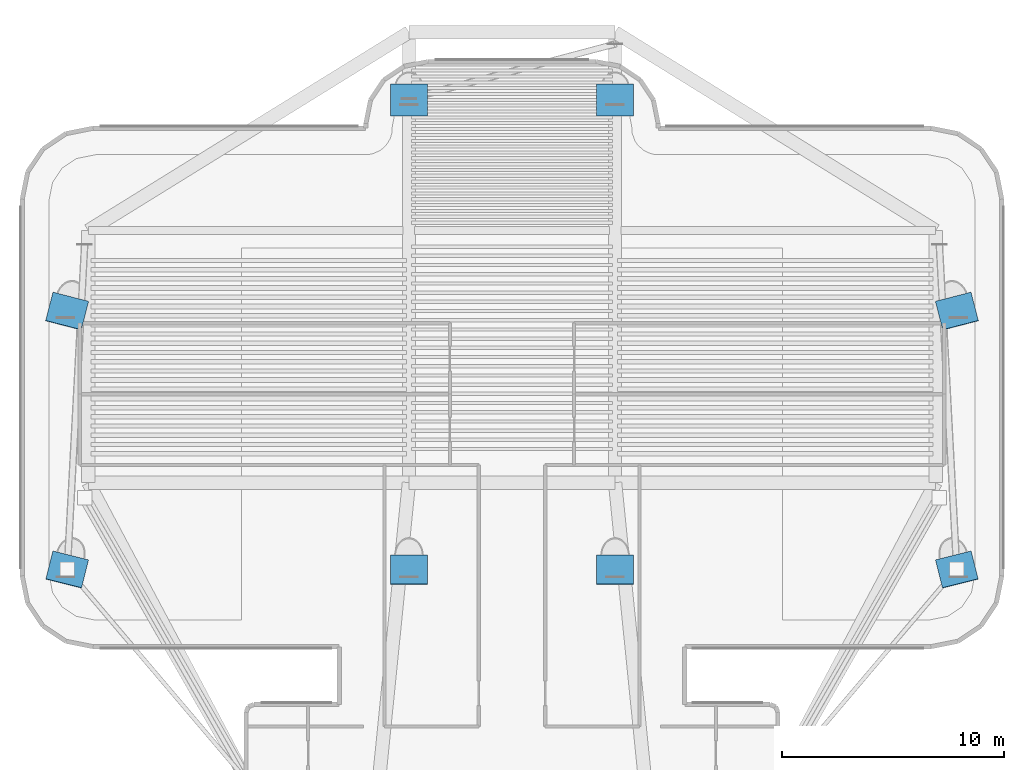
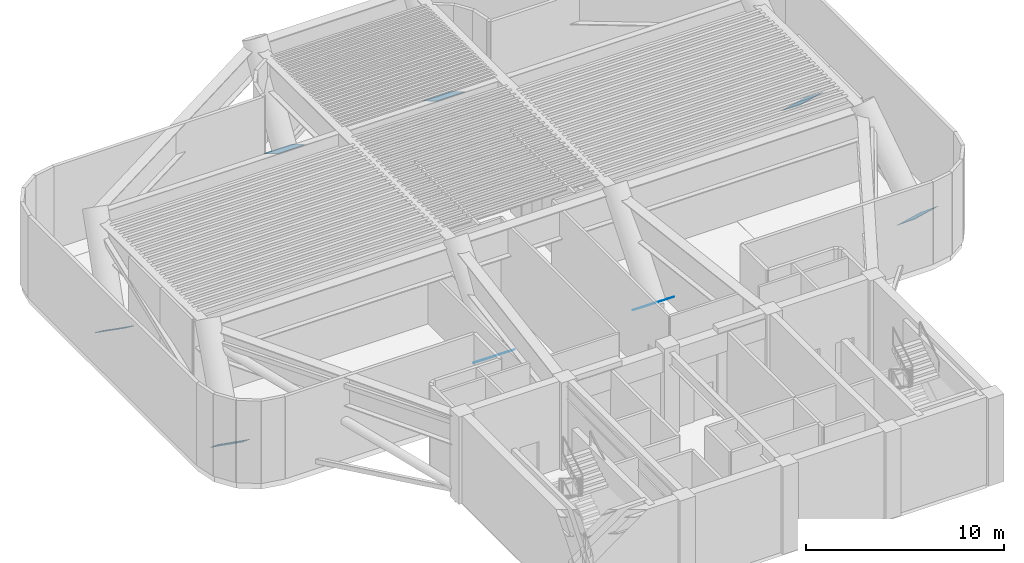
# One storey, part 7 of 10: 8 discrete accessories.
"""IFC4 building model written with IfcOpenShell, lengths in metres."""

import ifcopenshell
import ifcopenshell.guid

model = None  # the IFC model being written
_history = None  # IfcOwnerHistory: only IFC2X3 demands one
_inside = {}  # id of a spatial element -> (the spatial element, [elements in it])
_under = {}  # id of a project, library or spatial element -> (it, [spatial elements below it])
_declared = {}  # id of a project -> (the project, [libraries it declares])
_typed = {}  # id of a type object -> (the type object, [elements of that type])
_made_of = {}  # id of a material, layer set ... -> (it, [elements and type objects made of it])


def new_model(schema):
    """Start an empty IFC model of exactly this schema.

    Asked for "IFC4X3", IfcOpenShell would pick the latest addendum, in which some entities
    have other attributes; the version numbers below select the first issue.
    IFC2X3 requires an IfcOwnerHistory on every rooted entity: one is made here for all.
    """
    global model, _history
    if schema == "IFC4X3":
        model = ifcopenshell.file(schema_version=(4, 3, 0, 0))
    else:
        model = ifcopenshell.file(schema=schema)
    _inside.clear()
    _under.clear()
    _declared.clear()
    _typed.clear()
    _made_of.clear()
    _history = None
    if model.schema == "IFC2X3":
        org = make("IfcOrganization", Name="unknown")
        user = make(
            "IfcPersonAndOrganization",
            ThePerson=make("IfcPerson", FamilyName="unknown"),
            TheOrganization=org,
        )
        app = make(
            "IfcApplication",
            ApplicationDeveloper=org,
            Version="unknown",
            ApplicationFullName="unknown",
            ApplicationIdentifier="unknown",
        )
        _history = make(
            "IfcOwnerHistory",
            OwningUser=user,
            OwningApplication=app,
            ChangeAction="ADDED",
            CreationDate=0,
        )
    return model


def make(cls, **values):
    """One entity of the class cls with the attributes given. An attribute that is None is left unset."""
    return model.create_entity(
        cls, **{name: value for name, value in values.items() if value is not None}
    )


def rooted(cls, **values):
    """An entity with a GlobalId (a new one), such as an element, a storey or a relation."""
    return make(cls, GlobalId=ifcopenshell.guid.new(), OwnerHistory=_history, **values)


def si_unit(unit_type, name, prefix=None):
    """IfcSIUnit, for example si_unit("LENGTHUNIT", "METRE", prefix="MILLI")."""
    return make("IfcSIUnit", UnitType=unit_type, Prefix=prefix, Name=name)


def assignment(units):
    """IfcUnitAssignment: the units of a project."""
    return None if units is None else make("IfcUnitAssignment", Units=units)


def point(xyz):
    """IfcCartesianPoint."""
    return None if xyz is None else make("IfcCartesianPoint", Coordinates=xyz)


def direction(xyz):
    """IfcDirection."""
    return None if xyz is None else make("IfcDirection", DirectionRatios=xyz)


def frame(location, z_axis=None, x_axis=None):
    """IfcAxis2Placement3D, a coordinate frame: its origin and axes. An axis left out is left unset."""
    return make(
        "IfcAxis2Placement3D",
        Location=point(location),
        Axis=direction(z_axis),
        RefDirection=direction(x_axis),
    )


def frame_2d(location, x_axis=None):
    """IfcAxis2Placement2D, a coordinate frame in the plane: its origin and x axis."""
    return make(
        "IfcAxis2Placement2D", Location=point(location), RefDirection=direction(x_axis)
    )


def origin():
    """The frame at (0, 0, 0) with its axes left unset."""
    return frame((0.0, 0.0, 0.0))


def origin_2d():
    """The frame at (0, 0) in the plane with its x axis left unset."""
    return frame_2d((0.0, 0.0))


def place(relative_to, where):
    """IfcLocalPlacement: puts the frame where relative to a parent placement (None: the world)."""
    return make(
        "IfcLocalPlacement", PlacementRelTo=relative_to, RelativePlacement=where
    )


def context(
    kind, dimensions, precision=None, world=None, true_north=None, identifier=None
):
    """IfcGeometricRepresentationContext, for example the 3D "Model" context."""
    return make(
        "IfcGeometricRepresentationContext",
        ContextIdentifier=identifier,
        ContextType=kind,
        CoordinateSpaceDimension=dimensions,
        Precision=precision,
        WorldCoordinateSystem=world,
        TrueNorth=true_north,
    )


def subcontext(parent, identifier, kind, view, scale=None):
    """IfcGeometricRepresentationSubContext, for example "Body" below "Model"."""
    return make(
        "IfcGeometricRepresentationSubContext",
        ContextIdentifier=identifier,
        ContextType=kind,
        ParentContext=parent,
        TargetScale=scale,
        TargetView=view,
    )


def project(units=None, contexts=None):
    """IfcProject with its units and contexts."""
    return rooted(
        "IfcProject",
        Name="project",
        RepresentationContexts=contexts,
        UnitsInContext=assignment(units),
    )


def spatial(cls, under=None, at=None, **own):
    """A site, building, storey or space (cls), placed at a placement, below another one or the project."""
    s = rooted(cls, ObjectPlacement=at, **own)
    if under is not None:
        _under.setdefault(under.id(), (under, []))[1].append(s)
    return s


def profile(cls, at=None, kind="AREA", **sizes):
    """A parametric profile (cls). Its sizes go by their IFC names, for example OverallWidth=200.0."""
    return make(cls, ProfileType=kind, Position=at, **sizes)


def rectangle(**sizes):
    """IfcRectangleProfileDef."""
    return profile("IfcRectangleProfileDef", **sizes)


def extrude(swept, where, along, depth):
    """IfcExtrudedAreaSolid: the profile swept, set in the frame where, extruded along a direction by depth."""
    return make(
        "IfcExtrudedAreaSolid",
        SweptArea=swept,
        Position=where,
        ExtrudedDirection=direction(along),
        Depth=depth,
    )


def shape(context_of_items, identifier, shape_type, items):
    """IfcShapeRepresentation: the items that make up one representation, for example the "Body"."""
    return make(
        "IfcShapeRepresentation",
        ContextOfItems=context_of_items,
        RepresentationIdentifier=identifier,
        RepresentationType=shape_type,
        Items=items,
    )


def source(mapping_origin, context_of_items, identifier, shape_type, items):
    """IfcRepresentationMap: a shape defined once, which mapped items show again and again."""
    return make(
        "IfcRepresentationMap",
        MappingOrigin=mapping_origin,
        MappedRepresentation=shape(context_of_items, identifier, shape_type, items),
    )


def transform(
    local_origin,
    x_axis=None,
    y_axis=None,
    z_axis=None,
    scale=None,
    scale2=None,
    scale3=None,
    uniform=True,
):
    """IfcCartesianTransformationOperator3D, or its non-uniform kind. x_axis, y_axis, z_axis: its Axis1, 2, 3."""
    if uniform:
        return make(
            "IfcCartesianTransformationOperator3D",
            Axis1=direction(x_axis),
            Axis2=direction(y_axis),
            LocalOrigin=point(local_origin),
            Scale=scale,
            Axis3=direction(z_axis),
        )
    return make(
        "IfcCartesianTransformationOperator3DnonUniform",
        Axis1=direction(x_axis),
        Axis2=direction(y_axis),
        LocalOrigin=point(local_origin),
        Scale=scale,
        Axis3=direction(z_axis),
        Scale2=scale2,
        Scale3=scale3,
    )


def mapped(mapping_source, mapping_target):
    """IfcMappedItem: shows the shape of a source again, moved by a transform."""
    return make(
        "IfcMappedItem", MappingSource=mapping_source, MappingTarget=mapping_target
    )


def material(Name=None, Category=None):
    """IfcMaterial."""
    return make("IfcMaterial", Name=Name, Category=Category)


def material_profile(
    of_material, cross_section, Name=None, Category=None, Priority=None
):
    """IfcMaterialProfile: a cross section and its material."""
    return make(
        "IfcMaterialProfile",
        Name=Name,
        Material=of_material,
        Profile=cross_section,
        Priority=Priority,
        Category=Category,
    )


def profile_set(profiles, Name=None, composite=None):
    """IfcMaterialProfileSet."""
    return make(
        "IfcMaterialProfileSet",
        Name=Name,
        MaterialProfiles=profiles,
        CompositeProfile=composite,
    )


def made_of(thing, what):
    """Note that an element or type object is made of a material, layer set ...; save() writes the relation."""
    if what is not None:
        _made_of.setdefault(what.id(), (what, []))[1].append(thing)
    return thing


def type_object(cls, material=None, **own):
    """A type object (cls), such as IfcWallType, which elements share."""
    return made_of(rooted(cls, **own), material)


def element(
    cls,
    number,
    at=None,
    inside=None,
    cuts=None,
    type_object=None,
    material=None,
    context=None,
    identifier="Body",
    shape_type=None,
    held_by="IfcProductDefinitionShape",
    body=None,
    shapes=None,
    **own,
):
    """One element of the class cls, such as IfcWall. Its Tag is "e" and its number.

    at: its placement. inside: the storey or other place that contains it. cuts: it is an
    opening in that element (IfcRelVoidsElement). A single representation is given by context,
    identifier, shape_type and body (its items); several are given by shapes. held_by: the class
    of the entity that holds the representations. save() writes the other relations.
    """
    e = rooted(cls, Tag="e%d" % number, ObjectPlacement=at, **own)
    if body is not None:
        shapes = [shape(context, identifier, shape_type, body)]
    if shapes is not None:
        e.Representation = make(held_by, Representations=shapes)
    if inside is not None:
        _inside.setdefault(inside.id(), (inside, []))[1].append(e)
    if cuts is not None:
        rooted(
            "IfcRelVoidsElement", RelatingBuildingElement=cuts, RelatedOpeningElement=e
        )
    if type_object is not None:
        _typed.setdefault(type_object.id(), (type_object, []))[1].append(e)
    return made_of(e, material)


def aggregate(whole, parts):
    """IfcRelAggregates: a whole, such as a stair, and the parts it consists of."""
    return rooted("IfcRelAggregates", RelatingObject=whole, RelatedObjects=parts)


def save(model, path):
    """Write the relations noted so far, then the file.

    IfcRelAggregates (storeys below a building ...), IfcRelContainedInSpatialStructure (elements
    in a storey), IfcRelDefinesByType, IfcRelAssociatesMaterial and IfcRelDeclares: one each for
    every whole, place, type object, material and project.
    """
    for whole, parts in _under.values():
        aggregate(whole, parts)
    for where, things in _inside.values():
        rooted(
            "IfcRelContainedInSpatialStructure",
            RelatedElements=things,
            RelatingStructure=where,
        )
    for kind, things in _typed.values():
        rooted("IfcRelDefinesByType", RelatedObjects=things, RelatingType=kind)
    for what, things in _made_of.values():
        rooted("IfcRelAssociatesMaterial", RelatedObjects=things, RelatingMaterial=what)
    for by, libraries in _declared.values():
        rooted("IfcRelDeclares", RelatingContext=by, RelatedDefinitions=libraries)
    model.write(path)


model = new_model("IFC4")

# Units and contexts
model_context = context("Model", 3, precision=1e-05, world=origin(), true_north=direction((0.0, 1.0)))
body_context = subcontext(model_context, "Body", "Model", "MODEL_VIEW")
ifc_project = project(units=[si_unit("LENGTHUNIT", "METRE"), si_unit("AREAUNIT", "SQUARE_METRE"), si_unit("VOLUMEUNIT", "CUBIC_METRE"), si_unit("PLANEANGLEUNIT", "RADIAN"), si_unit("MASSUNIT", "GRAM", prefix="KILO")], contexts=[model_context])

# Site, building, storey
site_placement = place(None, origin())
site = spatial("IfcSite", under=ifc_project, at=site_placement, CompositionType="ELEMENT")
building_placement = place(site_placement, origin())
building = spatial("IfcBuilding", under=site, at=building_placement, Name="Brelvock Crest Care Tower", CompositionType="ELEMENT")
storey_placement = place(building_placement, frame((0.0, 0.0, 146.52001953125)))
storey = spatial("IfcBuildingStorey", under=building, at=storey_placement, Name="L37", CompositionType="ELEMENT", Elevation=146.52001953125)

# Discrete accessories
ifc_material = material(Name="Steel Grade 350", Category="steel")
ifc_material_profile = material_profile(ifc_material, rectangle(XDim=1.659912109375, YDim=1.659912109375, at=origin_2d()), Name="ACC-CAP1")
ifc_profile_set = profile_set([ifc_material_profile], Name="Steel Grade 350")
discrete_accessory_type = type_object("IfcDiscreteAccessoryType", Name="ACC-CAP1", PredefinedType="BRACKET", material=ifc_profile_set)
shared_shape_1 = source(origin(), body_context, "Body", "SweptSolid", [
    extrude(rectangle(XDim=1.659912109375, YDim=1.659912109375, at=origin_2d()), origin(), (0.0, 0.0, 1.0), 0.02392578125),
])
for number, where, z_axis, x_axis, name in (
    (1, (31.35009765625, 27.470703125, 0.4072265625), (0.0, 0.620963650242, 0.783839361781), (-1.0, 0.0, 0.0), "L37 Mega-Column Base End Cap Shoe M5"),
    (2, (40.64990234375, 27.470703125, 0.4072265625), (0.0, 0.620963650242, 0.783839361781), (-1.0, 0.0, 0.0), "L37 Mega-Column Base End Cap Shoe M6"),
    (3, (31.35009765625, 48.656494140625, 0.340576171875), (0.0, 0.511483859768, 0.85929288441), (-1.0, 0.0, 0.0), "L37 Mega-Column Base End Cap Shoe M7"),
    (4, (40.64990234375, 48.656494140625, 0.340576171875), (0.0, 0.511483859768, 0.85929288441), (-1.0, 0.0, 0.0), "L37 Mega-Column Base End Cap Shoe M8"),
):
    element("IfcDiscreteAccessory", number, at=place(storey_placement, frame(where, z_axis=z_axis, x_axis=x_axis)), inside=storey, type_object=discrete_accessory_type, Name=name, PredefinedType="BRACKET", context=body_context, shape_type="MappedRepresentation", body=[
        mapped(shared_shape_1, transform((0.0, 0.0, 0.0), x_axis=(1.0, 0.0, 0.0), y_axis=(0.0, 1.0, 0.0), z_axis=(0.0, 0.0, 1.0), scale=1.0)),
    ])
shared_shape_2 = source(origin(), body_context, "Body", "SweptSolid", [
    extrude(rectangle(XDim=1.659912109375, YDim=1.659912109375, at=origin_2d()), origin(), (0.0, 0.0, 1.0), 0.024169921875),
])
for number, where, z_axis, x_axis, name in (
    (5, (15.929443359375, 27.4765625, 0.414306640625), (0.151879753436, 0.607519013744, 0.779649400972), (-0.970142500145, 0.242535625036, 0.0), "L37 Mega-Column Base End Cap Shoe M1"),
    (6, (15.92578125, 39.137451171875, 0.395263671875), (0.151291490026, 0.584993761433, 0.796801847469), (-0.968146911612, 0.250382821969, 0.0), "L37 Mega-Column Base End Cap Shoe M2"),
    (7, (56.070556640625, 27.4765625, 0.414306640625), (-0.151879753436, 0.607519013744, 0.779649400972), (-0.970142500145, -0.242535625036, 0.0), "L37 Mega-Column Base End Cap Shoe M3"),
    (8, (56.07421875, 39.137451171875, 0.395263671875), (-0.151291490026, 0.584993761433, 0.796801847469), (-0.968146911612, -0.250382821969, 0.0), "L37 Mega-Column Base End Cap Shoe M4"),
):
    element("IfcDiscreteAccessory", number, at=place(storey_placement, frame(where, z_axis=z_axis, x_axis=x_axis)), inside=storey, type_object=discrete_accessory_type, Name=name, PredefinedType="BRACKET", context=body_context, shape_type="MappedRepresentation", body=[
        mapped(shared_shape_2, transform((0.0, 0.0, 0.0), x_axis=(1.0, 0.0, 0.0), y_axis=(0.0, 1.0, 0.0), z_axis=(0.0, 0.0, 1.0), scale=1.0)),
    ])

save(model, "model.ifc")
